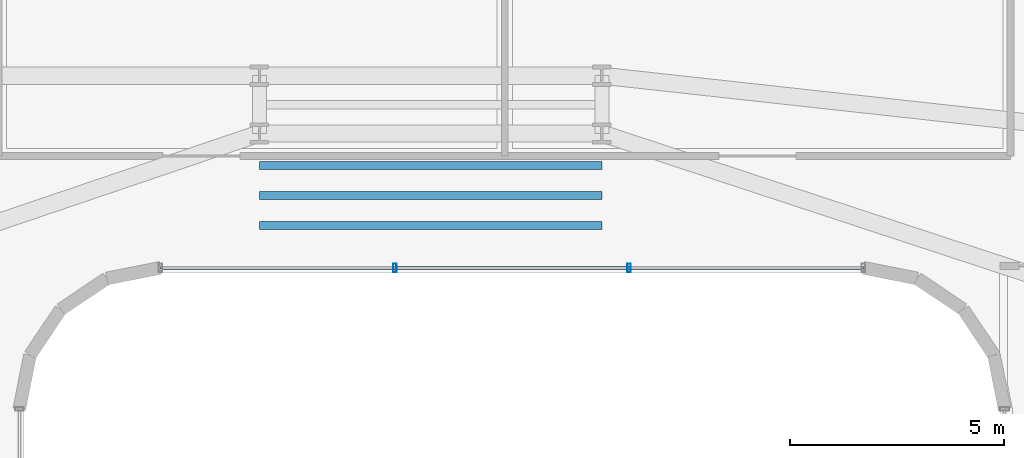
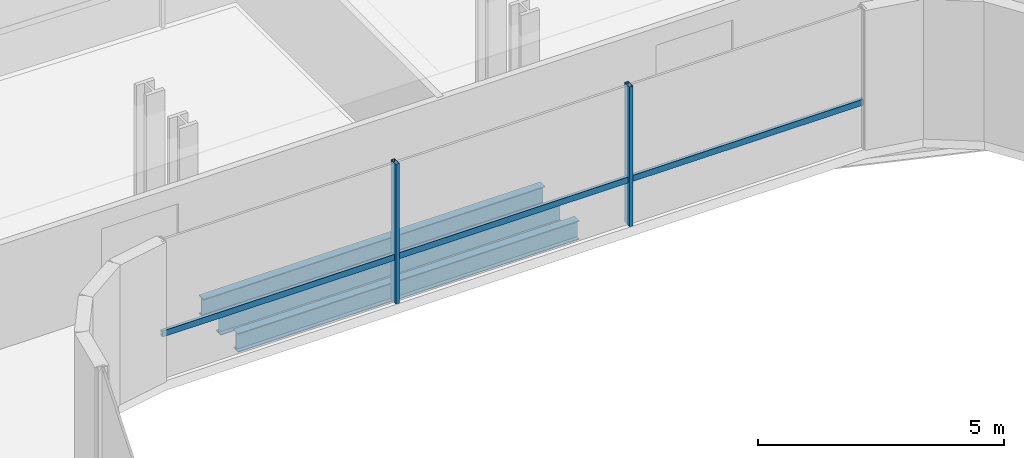
# One storey, part 16 of 40: 3 beams, 3 members, 1 element without a shape of its own.
"""IFC4 building model written with IfcOpenShell, lengths in metres."""

from ifc_helpers import new_model, si_unit, direction, frame, origin, origin_2d, place, context, subcontext, project, spatial, hollow_rectangle, i_section, extrude, source, transform, mapped, material, material_profile, profile_set, type_object, element, aggregate, save


model = new_model("IFC4")

# Units and contexts
model_context = context("Model", 3, precision=1e-05, world=origin(), true_north=direction((0.0, 1.0)))
body_context = subcontext(model_context, "Body", "Model", "MODEL_VIEW")
ifc_project = project(units=[si_unit("LENGTHUNIT", "METRE"), si_unit("AREAUNIT", "SQUARE_METRE"), si_unit("VOLUMEUNIT", "CUBIC_METRE"), si_unit("PLANEANGLEUNIT", "RADIAN"), si_unit("MASSUNIT", "GRAM", prefix="KILO")], contexts=[model_context])

# Site, building, storey
site_placement = place(None, origin())
site = spatial("IfcSite", under=ifc_project, at=site_placement, CompositionType="ELEMENT")
building_placement = place(site_placement, origin())
building = spatial("IfcBuilding", under=site, at=building_placement, Name="Valdorenza Pilgrim Sanctuary Tower", CompositionType="ELEMENT")
storey_placement = place(building_placement, frame((0.0, 0.0, 51.89990234375)))
storey = spatial("IfcBuildingStorey", under=building, at=storey_placement, Name="L12", CompositionType="ELEMENT", Elevation=51.89990234375)

# Beams
ifc_material_1 = material(Name="Steel ASTM A992 Grade 50", Category="steel")
ifc_material_profile_1 = material_profile(ifc_material_1, i_section(OverallWidth=0.193115234375, OverallDepth=0.466064453125, WebThickness=0.011474609375, FlangeThickness=0.01904296875, at=origin_2d()), Name="W18X65")
ifc_profile_set_1 = profile_set([ifc_material_profile_1], Name="Steel ASTM A992 Grade 50")
beam_type = type_object("IfcBeamType", Name="STR-BM-JST-W18A", PredefinedType="JOIST", material=ifc_profile_set_1)
shared_shape_1 = source(origin(), body_context, "Body", "SweptSolid", [
    extrude(i_section(OverallWidth=0.193115234375, OverallDepth=0.466064453125, WebThickness=0.011474609375, FlangeThickness=0.01904296875, at=origin_2d()), origin(), (0.0, 0.0, 1.0), 8.0),
])
for number, where, z_axis, x_axis, name in (
    (1, (-4.0, 11.300048828125, -0.472900390625), (1.0, 0.0, 0.0), (0.0, 1.0, 0.0), "L12 Knuckle Composite Joist JST-KNK-1"),
    (2, (-4.0, 12.0, -0.472900390625), (1.0, 0.0, 0.0), (0.0, 1.0, 0.0), "L12 Knuckle Composite Joist JST-KNK-2"),
    (3, (-4.0, 12.699951171875, -0.472900390625), (1.0, 0.0, 0.0), (0.0, 1.0, 0.0), "L12 Knuckle Composite Joist JST-KNK-3"),
):
    element("IfcBeam", number, at=place(storey_placement, frame(where, z_axis=z_axis, x_axis=x_axis)), inside=storey, type_object=beam_type, Name=name, PredefinedType="JOIST", context=body_context, shape_type="MappedRepresentation", body=[
        mapped(shared_shape_1, transform((0.0, 0.0, 0.0), x_axis=(1.0, 0.0, 0.0), y_axis=(0.0, 1.0, 0.0), z_axis=(0.0, 0.0, 1.0), scale=1.0)),
    ])

# Curtain wall, members
ifc_material_2 = material(Name="Curtain-wall IGU glazing", Category="glass")
curtain_wall_type = type_object("IfcCurtainWallType", Name="CW-SYS-02", PredefinedType="NOTDEFINED", material=ifc_material_2)
curtain_wall_placement = place(storey_placement, origin())
curtain_wall = element("IfcCurtainWall", 4, at=curtain_wall_placement, inside=storey, type_object=curtain_wall_type, Name="L12 Curtain Wall CW-L12-1-36", PredefinedType="NOTDEFINED")
ifc_material_3 = material(Name="Anodised aluminium AW-6060", Category="aluminium")
ifc_material_profile_2 = material_profile(ifc_material_3, hollow_rectangle(XDim=0.074951171875, YDim=0.14990234375, WallThickness=0.00390625, at=origin_2d()), Name="ALU-T 150x75x4")
ifc_profile_set_2 = profile_set([ifc_material_profile_2], Name="Anodised aluminium AW-6060")
member_type_1 = type_object("IfcMemberType", Name="CW-TRN-02", PredefinedType="USERDEFINED", material=ifc_profile_set_2)
shared_shape_2 = source(origin(), body_context, "Body", "SweptSolid", [
    extrude(hollow_rectangle(XDim=0.074951171875, YDim=0.14990234375, WallThickness=0.00390625, at=origin_2d()), origin(), (0.0, 0.0, 1.0), 16.421630859375),
])
member_1_placement = place(storey_placement, frame((10.11083984375, 10.31005859375, 1.1201171875), z_axis=(-1.0, 0.0, 0.0), x_axis=(0.0, -1.0, 0.0)))
member_1 = element("IfcMember", 5, at=member_1_placement, type_object=member_type_1, Name="CW-L12-1-36 Transom 1", ObjectType="TRANSOM", PredefinedType="USERDEFINED", context=body_context, shape_type="MappedRepresentation", body=[
    mapped(shared_shape_2, transform((0.0, 0.0, 0.0), x_axis=(1.0, 0.0, 0.0), y_axis=(0.0, 1.0, 0.0), z_axis=(0.0, 0.0, 1.0), scale=1.0)),
])
ifc_material_profile_3 = material_profile(ifc_material_3, hollow_rectangle(XDim=0.0849609375, YDim=0.199951171875, WallThickness=0.0048828125, at=origin_2d()), Name="ALU-M 200x85x5")
ifc_profile_set_3 = profile_set([ifc_material_profile_3], Name="Anodised aluminium AW-6060")
member_type_2 = type_object("IfcMemberType", Name="CW-MUL-02", PredefinedType="MULLION", material=ifc_profile_set_3)
shared_shape_3 = source(origin(), body_context, "Body", "SweptSolid", [
    extrude(hollow_rectangle(XDim=0.0849609375, YDim=0.199951171875, WallThickness=0.0048828125, at=origin_2d()), origin(), (0.0, 0.0, 1.0), 3.460205078125),
])
member_2_placement = place(storey_placement, frame((4.636962890625, 10.31005859375, 0.0), z_axis=(0.0, 0.0, 1.0), x_axis=(-1.0, 0.0, 0.0)))
member_2 = element("IfcMember", 6, at=member_2_placement, type_object=member_type_2, Name="CW-L12-1-36 Mullion 2", PredefinedType="MULLION", context=body_context, shape_type="MappedRepresentation", body=[
    mapped(shared_shape_3, transform((0.0, 0.0, 0.0), x_axis=(1.0, 0.0, 0.0), y_axis=(0.0, 1.0, 0.0), z_axis=(0.0, 0.0, 1.0), scale=1.0)),
])
member_3_placement = place(storey_placement, frame((-0.8369140625, 10.31005859375, 0.0), z_axis=(0.0, 0.0, 1.0), x_axis=(-1.0, 0.0, 0.0)))
member_3 = element("IfcMember", 7, at=member_3_placement, type_object=member_type_2, Name="CW-L12-1-36 Mullion 3", PredefinedType="MULLION", context=body_context, shape_type="MappedRepresentation", body=[
    mapped(shared_shape_3, transform((0.0, 0.0, 0.0), x_axis=(1.0, 0.0, 0.0), y_axis=(0.0, 1.0, 0.0), z_axis=(0.0, 0.0, 1.0), scale=1.0)),
])
aggregate(curtain_wall, [member_2, member_3, member_1])

save(model, "model.ifc")
